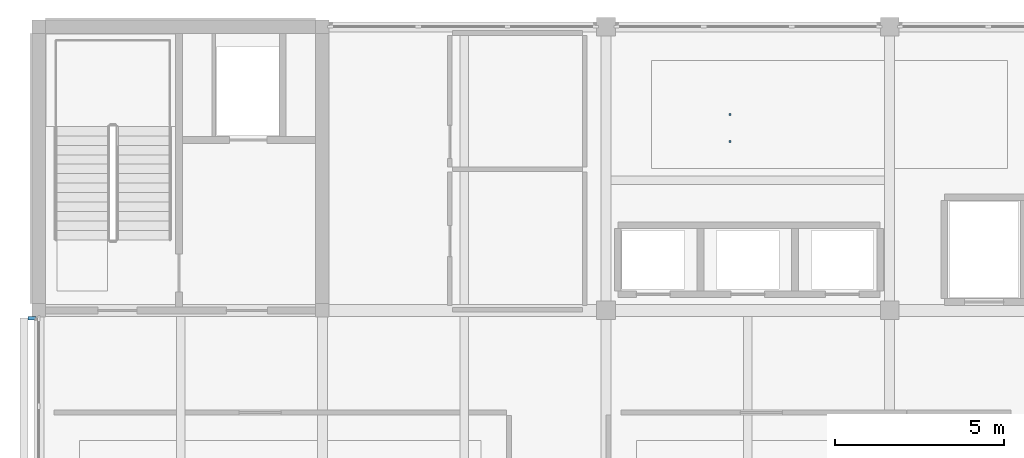
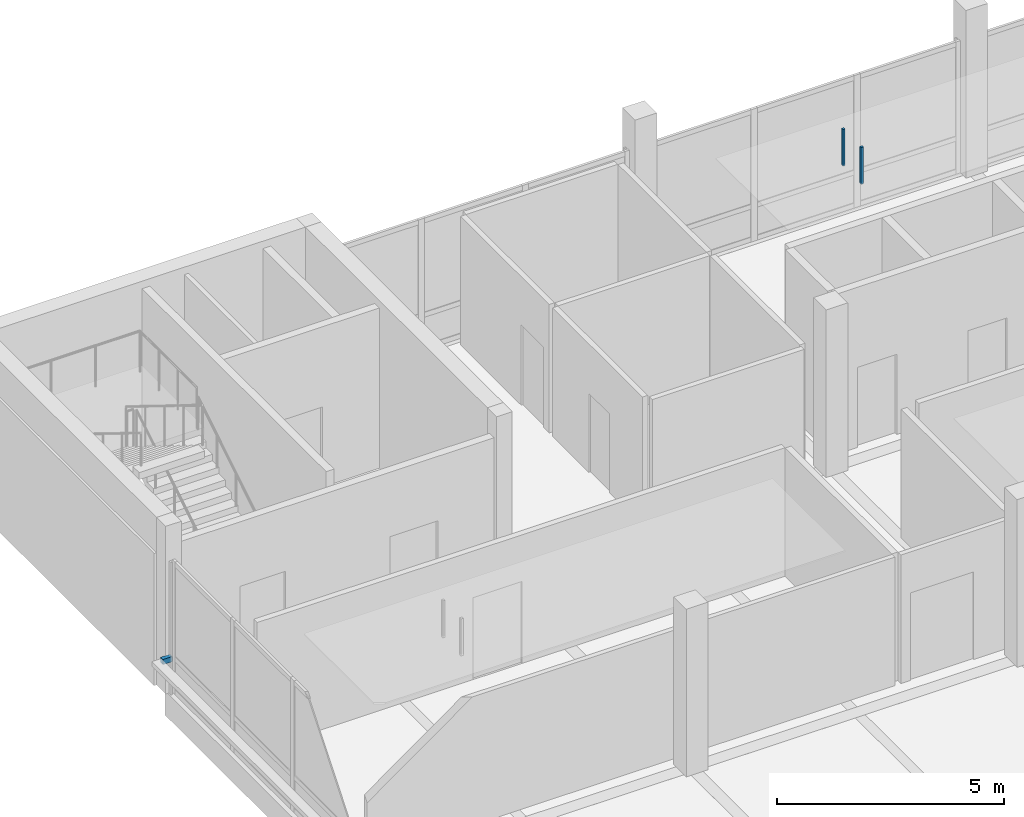
# One storey, part 11 of 20: 3 discrete accessories.
"""IFC4 building model written with IfcOpenShell, lengths in metres."""

from ifc_helpers import new_model, si_unit, direction, frame, origin, origin_2d, place, context, subcontext, project, spatial, rectangle, extrude, material, type_object, element, save


model = new_model("IFC4")

# Units and contexts
model_context = context("Model", 3, precision=1e-05, world=origin(), true_north=direction((0.0, 1.0)))
body_context = subcontext(model_context, "Body", "Model", "MODEL_VIEW")
ifc_project = project(units=[si_unit("LENGTHUNIT", "METRE"), si_unit("AREAUNIT", "SQUARE_METRE"), si_unit("VOLUMEUNIT", "CUBIC_METRE"), si_unit("PLANEANGLEUNIT", "RADIAN"), si_unit("MASSUNIT", "GRAM", prefix="KILO")], contexts=[model_context])

# Site, building, storey
site_placement = place(None, origin())
site = spatial("IfcSite", under=ifc_project, at=site_placement, CompositionType="ELEMENT")
building_placement = place(site_placement, origin())
building = spatial("IfcBuilding", under=site, at=building_placement, Name="Telukmera Botanical Conservatory", CompositionType="ELEMENT")
storey_placement = place(building_placement, frame((0.0, 0.0, 69.0)))
storey = spatial("IfcBuildingStorey", under=building, at=storey_placement, Name="L15", CompositionType="ELEMENT", Elevation=69.0)

# Discrete accessories
ifc_material = material(Name="Steel S355", Category="steel")
discrete_accessory_type_1 = type_object("IfcDiscreteAccessoryType", Name="ACC-CEIL-HGR", PredefinedType="BRACKET", material=ifc_material)
for number, where, z_axis, x_axis, name in (
    (1, (79.27099609375, 31.0, 3.31982421875), (0.0, 0.0, 1.0), (1.0, 0.0, 0.0), "L15 Suspended Ceiling Hanger Rod 011-1"),
    (2, (79.27099609375, 31.800048828125, 3.31982421875), (0.0, 0.0, 1.0), (1.0, 0.0, 0.0), "L15 Suspended Ceiling Hanger Rod 011-2"),
):
    element("IfcDiscreteAccessory", number, at=place(storey_placement, frame(where, z_axis=z_axis, x_axis=x_axis)), inside=storey, type_object=discrete_accessory_type_1, Name=name, PredefinedType="BRACKET", context=body_context, shape_type="SweptSolid", body=[
        extrude(rectangle(XDim=0.06005859375, YDim=0.06005859375, at=origin_2d()), origin(), (0.0, 0.0, 1.0), 0.985107421875),
    ])
discrete_accessory_type_2 = type_object("IfcDiscreteAccessoryType", Name="Structural Steel Facade Outrigger Fin Bracket", PredefinedType="BRACKET", material=ifc_material)
discrete_accessory_placement = place(storey_placement, frame((58.60009765625, 25.765380859375, 0.8798828125), z_axis=(0.0, 0.0, 1.0), x_axis=(0.0, 1.0, 0.0)))
element("IfcDiscreteAccessory", 3, at=discrete_accessory_placement, inside=storey, type_object=discrete_accessory_type_2, Name="Facade Outrigger Bracket V4:L15:W2 B", PredefinedType="BRACKET", context=body_context, shape_type="SweptSolid", body=[
    extrude(rectangle(XDim=0.10009765625, YDim=0.239990234375, at=origin_2d()), origin(), (0.0, 0.0, 1.0), 0.139892578125),
])

save(model, "model.ifc")
